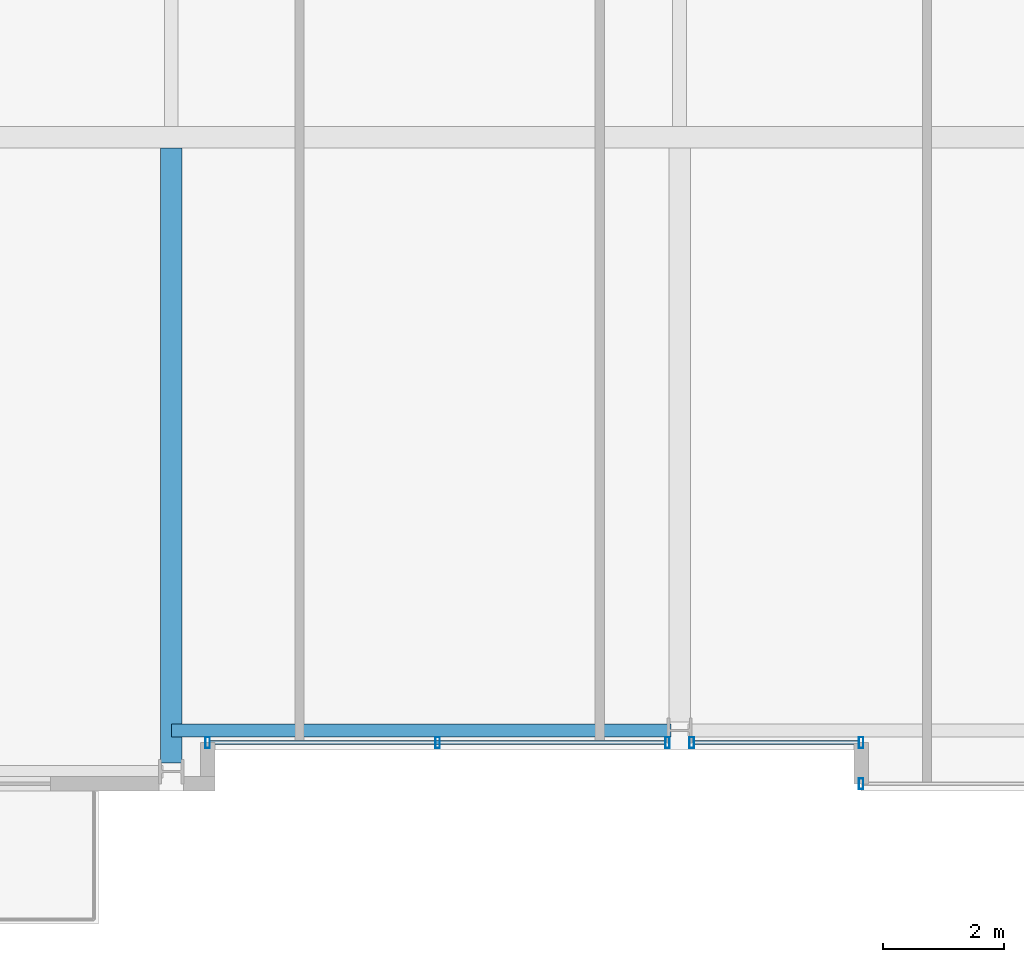
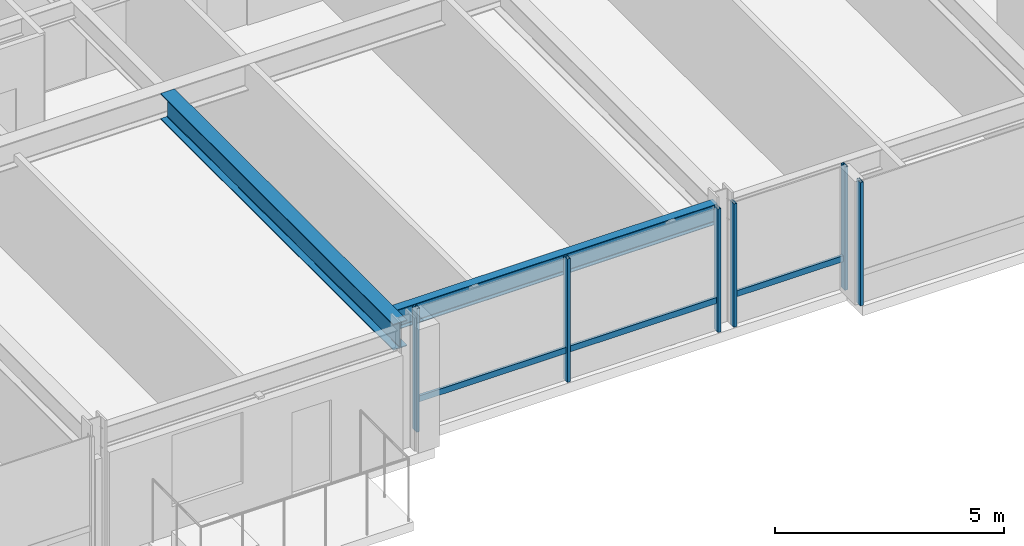
# One storey, part 5 of 32: 8 members, 2 beams, 3 elements without a shape of their own.
"""IFC4 building model written with IfcOpenShell, lengths in metres."""

import ifcopenshell
import ifcopenshell.guid

model = None  # the IFC model being written
_history = None  # IfcOwnerHistory: only IFC2X3 demands one
_inside = {}  # id of a spatial element -> (the spatial element, [elements in it])
_under = {}  # id of a project, library or spatial element -> (it, [spatial elements below it])
_declared = {}  # id of a project -> (the project, [libraries it declares])
_typed = {}  # id of a type object -> (the type object, [elements of that type])
_made_of = {}  # id of a material, layer set ... -> (it, [elements and type objects made of it])


def new_model(schema):
    """Start an empty IFC model of exactly this schema.

    Asked for "IFC4X3", IfcOpenShell would pick the latest addendum, in which some entities
    have other attributes; the version numbers below select the first issue.
    IFC2X3 requires an IfcOwnerHistory on every rooted entity: one is made here for all.
    """
    global model, _history
    if schema == "IFC4X3":
        model = ifcopenshell.file(schema_version=(4, 3, 0, 0))
    else:
        model = ifcopenshell.file(schema=schema)
    _inside.clear()
    _under.clear()
    _declared.clear()
    _typed.clear()
    _made_of.clear()
    _history = None
    if model.schema == "IFC2X3":
        org = make("IfcOrganization", Name="unknown")
        user = make(
            "IfcPersonAndOrganization",
            ThePerson=make("IfcPerson", FamilyName="unknown"),
            TheOrganization=org,
        )
        app = make(
            "IfcApplication",
            ApplicationDeveloper=org,
            Version="unknown",
            ApplicationFullName="unknown",
            ApplicationIdentifier="unknown",
        )
        _history = make(
            "IfcOwnerHistory",
            OwningUser=user,
            OwningApplication=app,
            ChangeAction="ADDED",
            CreationDate=0,
        )
    return model


def make(cls, **values):
    """One entity of the class cls with the attributes given. An attribute that is None is left unset."""
    return model.create_entity(
        cls, **{name: value for name, value in values.items() if value is not None}
    )


def rooted(cls, **values):
    """An entity with a GlobalId (a new one), such as an element, a storey or a relation."""
    return make(cls, GlobalId=ifcopenshell.guid.new(), OwnerHistory=_history, **values)


def si_unit(unit_type, name, prefix=None):
    """IfcSIUnit, for example si_unit("LENGTHUNIT", "METRE", prefix="MILLI")."""
    return make("IfcSIUnit", UnitType=unit_type, Prefix=prefix, Name=name)


def assignment(units):
    """IfcUnitAssignment: the units of a project."""
    return None if units is None else make("IfcUnitAssignment", Units=units)


def point(xyz):
    """IfcCartesianPoint."""
    return None if xyz is None else make("IfcCartesianPoint", Coordinates=xyz)


def direction(xyz):
    """IfcDirection."""
    return None if xyz is None else make("IfcDirection", DirectionRatios=xyz)


def frame(location, z_axis=None, x_axis=None):
    """IfcAxis2Placement3D, a coordinate frame: its origin and axes. An axis left out is left unset."""
    return make(
        "IfcAxis2Placement3D",
        Location=point(location),
        Axis=direction(z_axis),
        RefDirection=direction(x_axis),
    )


def frame_2d(location, x_axis=None):
    """IfcAxis2Placement2D, a coordinate frame in the plane: its origin and x axis."""
    return make(
        "IfcAxis2Placement2D", Location=point(location), RefDirection=direction(x_axis)
    )


def origin():
    """The frame at (0, 0, 0) with its axes left unset."""
    return frame((0.0, 0.0, 0.0))


def origin_2d():
    """The frame at (0, 0) in the plane with its x axis left unset."""
    return frame_2d((0.0, 0.0))


def place(relative_to, where):
    """IfcLocalPlacement: puts the frame where relative to a parent placement (None: the world)."""
    return make(
        "IfcLocalPlacement", PlacementRelTo=relative_to, RelativePlacement=where
    )


def context(
    kind, dimensions, precision=None, world=None, true_north=None, identifier=None
):
    """IfcGeometricRepresentationContext, for example the 3D "Model" context."""
    return make(
        "IfcGeometricRepresentationContext",
        ContextIdentifier=identifier,
        ContextType=kind,
        CoordinateSpaceDimension=dimensions,
        Precision=precision,
        WorldCoordinateSystem=world,
        TrueNorth=true_north,
    )


def subcontext(parent, identifier, kind, view, scale=None):
    """IfcGeometricRepresentationSubContext, for example "Body" below "Model"."""
    return make(
        "IfcGeometricRepresentationSubContext",
        ContextIdentifier=identifier,
        ContextType=kind,
        ParentContext=parent,
        TargetScale=scale,
        TargetView=view,
    )


def project(units=None, contexts=None):
    """IfcProject with its units and contexts."""
    return rooted(
        "IfcProject",
        Name="project",
        RepresentationContexts=contexts,
        UnitsInContext=assignment(units),
    )


def spatial(cls, under=None, at=None, **own):
    """A site, building, storey or space (cls), placed at a placement, below another one or the project."""
    s = rooted(cls, ObjectPlacement=at, **own)
    if under is not None:
        _under.setdefault(under.id(), (under, []))[1].append(s)
    return s


def profile(cls, at=None, kind="AREA", **sizes):
    """A parametric profile (cls). Its sizes go by their IFC names, for example OverallWidth=200.0."""
    return make(cls, ProfileType=kind, Position=at, **sizes)


def hollow_rectangle(**sizes):
    """IfcRectangleHollowProfileDef."""
    return profile("IfcRectangleHollowProfileDef", **sizes)


def i_section(**sizes):
    """IfcIShapeProfileDef."""
    return profile("IfcIShapeProfileDef", **sizes)


def extrude(swept, where, along, depth):
    """IfcExtrudedAreaSolid: the profile swept, set in the frame where, extruded along a direction by depth."""
    return make(
        "IfcExtrudedAreaSolid",
        SweptArea=swept,
        Position=where,
        ExtrudedDirection=direction(along),
        Depth=depth,
    )


def shape(context_of_items, identifier, shape_type, items):
    """IfcShapeRepresentation: the items that make up one representation, for example the "Body"."""
    return make(
        "IfcShapeRepresentation",
        ContextOfItems=context_of_items,
        RepresentationIdentifier=identifier,
        RepresentationType=shape_type,
        Items=items,
    )


def material(Name=None, Category=None):
    """IfcMaterial."""
    return make("IfcMaterial", Name=Name, Category=Category)


def layer(
    of_material, thickness, ventilated=None, Name=None, Category=None, Priority=None
):
    """IfcMaterialLayer: one layer of a wall or slab, of a material (None: an air gap)."""
    return make(
        "IfcMaterialLayer",
        Material=of_material,
        LayerThickness=thickness,
        IsVentilated=ventilated,
        Name=Name,
        Category=Category,
        Priority=Priority,
    )


def layer_set(layers, Name=None):
    """IfcMaterialLayerSet."""
    return make("IfcMaterialLayerSet", MaterialLayers=layers, LayerSetName=Name)


def material_profile(
    of_material, cross_section, Name=None, Category=None, Priority=None
):
    """IfcMaterialProfile: a cross section and its material."""
    return make(
        "IfcMaterialProfile",
        Name=Name,
        Material=of_material,
        Profile=cross_section,
        Priority=Priority,
        Category=Category,
    )


def profile_set(profiles, Name=None, composite=None):
    """IfcMaterialProfileSet."""
    return make(
        "IfcMaterialProfileSet",
        Name=Name,
        MaterialProfiles=profiles,
        CompositeProfile=composite,
    )


def made_of(thing, what):
    """Note that an element or type object is made of a material, layer set ...; save() writes the relation."""
    if what is not None:
        _made_of.setdefault(what.id(), (what, []))[1].append(thing)
    return thing


def type_object(cls, material=None, **own):
    """A type object (cls), such as IfcWallType, which elements share."""
    return made_of(rooted(cls, **own), material)


def element(
    cls,
    number,
    at=None,
    inside=None,
    cuts=None,
    type_object=None,
    material=None,
    context=None,
    identifier="Body",
    shape_type=None,
    held_by="IfcProductDefinitionShape",
    body=None,
    shapes=None,
    **own,
):
    """One element of the class cls, such as IfcWall. Its Tag is "e" and its number.

    at: its placement. inside: the storey or other place that contains it. cuts: it is an
    opening in that element (IfcRelVoidsElement). A single representation is given by context,
    identifier, shape_type and body (its items); several are given by shapes. held_by: the class
    of the entity that holds the representations. save() writes the other relations.
    """
    e = rooted(cls, Tag="e%d" % number, ObjectPlacement=at, **own)
    if body is not None:
        shapes = [shape(context, identifier, shape_type, body)]
    if shapes is not None:
        e.Representation = make(held_by, Representations=shapes)
    if inside is not None:
        _inside.setdefault(inside.id(), (inside, []))[1].append(e)
    if cuts is not None:
        rooted(
            "IfcRelVoidsElement", RelatingBuildingElement=cuts, RelatedOpeningElement=e
        )
    if type_object is not None:
        _typed.setdefault(type_object.id(), (type_object, []))[1].append(e)
    return made_of(e, material)


def aggregate(whole, parts):
    """IfcRelAggregates: a whole, such as a stair, and the parts it consists of."""
    return rooted("IfcRelAggregates", RelatingObject=whole, RelatedObjects=parts)


def save(model, path):
    """Write the relations noted so far, then the file.

    IfcRelAggregates (storeys below a building ...), IfcRelContainedInSpatialStructure (elements
    in a storey), IfcRelDefinesByType, IfcRelAssociatesMaterial and IfcRelDeclares: one each for
    every whole, place, type object, material and project.
    """
    for whole, parts in _under.values():
        aggregate(whole, parts)
    for where, things in _inside.values():
        rooted(
            "IfcRelContainedInSpatialStructure",
            RelatedElements=things,
            RelatingStructure=where,
        )
    for kind, things in _typed.values():
        rooted("IfcRelDefinesByType", RelatedObjects=things, RelatingType=kind)
    for what, things in _made_of.values():
        rooted("IfcRelAssociatesMaterial", RelatedObjects=things, RelatingMaterial=what)
    for by, libraries in _declared.values():
        rooted("IfcRelDeclares", RelatingContext=by, RelatedDefinitions=libraries)
    model.write(path)


model = new_model("IFC4")

# Units and contexts
model_context = context("Model", 3, precision=1e-05, world=origin(), true_north=direction((0.0, 1.0)))
body_context = subcontext(model_context, "Body", "Model", "MODEL_VIEW")
ifc_project = project(units=[si_unit("LENGTHUNIT", "METRE"), si_unit("AREAUNIT", "SQUARE_METRE"), si_unit("VOLUMEUNIT", "CUBIC_METRE"), si_unit("PLANEANGLEUNIT", "RADIAN"), si_unit("MASSUNIT", "GRAM", prefix="KILO")], contexts=[model_context])

# Site, building, storey
site_placement = place(None, origin())
site = spatial("IfcSite", under=ifc_project, at=site_placement, CompositionType="ELEMENT")
building_placement = place(site_placement, origin())
building = spatial("IfcBuilding", under=site, at=building_placement, Name="Drelvath Grand Hotel", CompositionType="ELEMENT")
storey_placement = place(building_placement, frame((0.0, 0.0, 150.39990234375)))
storey = spatial("IfcBuildingStorey", under=building, at=storey_placement, Name="L38", CompositionType="ELEMENT", Elevation=150.39990234375)

# Curtain wall, member
ifc_material_1 = material(Name="Brushed Pale-Silver Anodised Aluminium Frame", Category="aluminium")
ifc_layer = layer(ifc_material_1, 0.199951171875)
ifc_layer_set = layer_set([ifc_layer], Name="Brushed Pale-Silver Anodised Aluminium Frame")
curtain_wall_type = type_object("IfcCurtainWallType", Name="Stick Curtain Wall CW-04 Brushed Silver Upper-Mid", PredefinedType="NOTDEFINED", material=ifc_layer_set)
curtain_wall_1_placement = place(storey_placement, origin())
curtain_wall_1 = element("IfcCurtainWall", 1, at=curtain_wall_1_placement, inside=storey, type_object=curtain_wall_type, Name="L38 CW-04 Curtain Wall CW04-L38-SM1", PredefinedType="NOTDEFINED")
ifc_material_profile_1 = material_profile(ifc_material_1, hollow_rectangle(XDim=0.06494140625, YDim=0.159912109375, WallThickness=0.00390625, at=origin_2d()), Name="HSS160X65X4")
ifc_profile_set_1 = profile_set([ifc_material_profile_1], Name="Brushed Pale-Silver Anodised Aluminium Frame")
member_type_1 = type_object("IfcMemberType", Name="Curtain Wall Horizontal Transom CW-04 HSS160X65X4", PredefinedType="USERDEFINED", material=ifc_profile_set_1)
member_1_placement = place(storey_placement, frame((-0.239990234375, 0.800048828125, 0.822509765625), z_axis=(-1.0, 0.0, 0.0), x_axis=(0.0, -1.0, 0.0)))
member_1 = element("IfcMember", 2, at=member_1_placement, type_object=member_type_1, Name="CW04-L38-SM1 Sill Transom", ObjectType="TRANSOM", PredefinedType="USERDEFINED", context=body_context, shape_type="SweptSolid", body=[
    extrude(hollow_rectangle(XDim=0.06494140625, YDim=0.159912109375, WallThickness=0.00390625, at=origin_2d()), origin(), (0.0, 0.0, 1.0), 7.52001953125),
])

curtain_wall_2_placement = place(storey_placement, origin())
curtain_wall_2 = element("IfcCurtainWall", 3, at=curtain_wall_2_placement, inside=storey, type_object=curtain_wall_type, Name="L38 CW-04 Curtain Wall CW04-L38-SM2", PredefinedType="NOTDEFINED")
member_2_placement = place(storey_placement, frame((2.9599609375, 0.800048828125, 0.822509765625), z_axis=(-1.0, 0.0, 0.0), x_axis=(0.0, -1.0, 0.0)))
member_2 = element("IfcMember", 4, at=member_2_placement, type_object=member_type_1, Name="CW04-L38-SM2 Sill Transom", ObjectType="TRANSOM", PredefinedType="USERDEFINED", context=body_context, shape_type="SweptSolid", body=[
    extrude(hollow_rectangle(XDim=0.06494140625, YDim=0.159912109375, WallThickness=0.00390625, at=origin_2d()), origin(), (0.0, 0.0, 1.0), 2.719970703125),
])

curtain_wall_3_placement = place(storey_placement, origin())
curtain_wall_3 = element("IfcCurtainWall", 5, at=curtain_wall_3_placement, inside=storey, type_object=curtain_wall_type, Name="L38 CW-04 Curtain Wall CW04-L38-SE1", PredefinedType="NOTDEFINED")
ifc_material_profile_2 = material_profile(ifc_material_1, hollow_rectangle(XDim=0.074951171875, YDim=0.179931640625, WallThickness=0.0048828125, at=origin_2d()), Name="HSS180X75X5")
ifc_profile_set_2 = profile_set([ifc_material_profile_2], Name="Brushed Pale-Silver Anodised Aluminium Frame")
member_type_2 = type_object("IfcMemberType", Name="Curtain Wall Vertical Mullion CW-04 HSS180X75X5", PredefinedType="MULLION", material=ifc_profile_set_2)
member_3_placement = place(storey_placement, frame((3.0, 0.1201171875, 0.0), z_axis=(0.0, 0.0, 1.0), x_axis=(1.0, 0.0, 0.0)))
member_3 = element("IfcMember", 6, at=member_3_placement, type_object=member_type_2, Name="CW04-L38-SE1 Mullion 2", PredefinedType="MULLION", context=body_context, shape_type="SweptSolid", body=[
    extrude(hollow_rectangle(XDim=0.074951171875, YDim=0.179931640625, WallThickness=0.0048828125, at=origin_2d()), origin(), (0.0, 0.0, 1.0), 3.2900390625),
])
aggregate(curtain_wall_3, [member_3])

# Member
member_4_placement = place(storey_placement, frame((-0.2001953125, 0.800048828125, 0.0), z_axis=(0.0, 0.0, 1.0), x_axis=(1.0, 0.0, 0.0)))
member_4 = element("IfcMember", 7, at=member_4_placement, type_object=member_type_2, Name="CW04-L38-SM1 Mullion 1", PredefinedType="MULLION", context=body_context, shape_type="SweptSolid", body=[
    extrude(hollow_rectangle(XDim=0.074951171875, YDim=0.179931640625, WallThickness=0.0048828125, at=origin_2d()), origin(), (0.0, 0.0, 1.0), 3.2900390625),
])

member_5_placement = place(storey_placement, frame((-4.0, 0.800048828125, 0.0), z_axis=(0.0, 0.0, 1.0), x_axis=(1.0, 0.0, 0.0)))
member_5 = element("IfcMember", 8, at=member_5_placement, type_object=member_type_2, Name="CW04-L38-SM1 Mullion 2", PredefinedType="MULLION", context=body_context, shape_type="SweptSolid", body=[
    extrude(hollow_rectangle(XDim=0.074951171875, YDim=0.179931640625, WallThickness=0.0048828125, at=origin_2d()), origin(), (0.0, 0.0, 1.0), 3.2900390625),
])

member_6_placement = place(storey_placement, frame((-7.800048828125, 0.800048828125, 0.0), z_axis=(0.0, 0.0, 1.0), x_axis=(1.0, 0.0, 0.0)))
member_6 = element("IfcMember", 9, at=member_6_placement, type_object=member_type_2, Name="CW04-L38-SM1 Mullion 3", PredefinedType="MULLION", context=body_context, shape_type="SweptSolid", body=[
    extrude(hollow_rectangle(XDim=0.074951171875, YDim=0.179931640625, WallThickness=0.0048828125, at=origin_2d()), origin(), (0.0, 0.0, 1.0), 3.2900390625),
])

aggregate(curtain_wall_1, [member_4, member_5, member_6, member_1])

member_7_placement = place(storey_placement, frame((3.0, 0.800048828125, 0.0), z_axis=(0.0, 0.0, 1.0), x_axis=(1.0, 0.0, 0.0)))
member_7 = element("IfcMember", 10, at=member_7_placement, type_object=member_type_2, Name="CW04-L38-SM2 Mullion 1", PredefinedType="MULLION", context=body_context, shape_type="SweptSolid", body=[
    extrude(hollow_rectangle(XDim=0.074951171875, YDim=0.179931640625, WallThickness=0.0048828125, at=origin_2d()), origin(), (0.0, 0.0, 1.0), 3.2900390625),
])

member_8_placement = place(storey_placement, frame((0.2001953125, 0.800048828125, 0.0), z_axis=(0.0, 0.0, 1.0), x_axis=(1.0, 0.0, 0.0)))
member_8 = element("IfcMember", 11, at=member_8_placement, type_object=member_type_2, Name="CW04-L38-SM2 Mullion 2", PredefinedType="MULLION", context=body_context, shape_type="SweptSolid", body=[
    extrude(hollow_rectangle(XDim=0.074951171875, YDim=0.179931640625, WallThickness=0.0048828125, at=origin_2d()), origin(), (0.0, 0.0, 1.0), 3.2900390625),
])

aggregate(curtain_wall_2, [member_7, member_8, member_2])

# Beams
ifc_material_2 = material(Name="Steel ASTM A992 Gr 50", Category="steel")
ifc_material_profile_3 = material_profile(ifc_material_2, i_section(OverallWidth=0.210205078125, OverallDepth=0.53662109375, WebThickness=0.010986328125, FlangeThickness=0.017333984375, FilletRadius=0.01806640625, at=origin_2d()), Name="W21X68")
ifc_profile_set_3 = profile_set([ifc_material_profile_3], Name="Steel ASTM A992 Gr 50")
beam_type_1 = type_object("IfcBeamType", Name="Perimeter Spandrel Beam W21X68", PredefinedType="SPANDREL", material=ifc_profile_set_3)
beam_1_placement = place(storey_placement, frame((-8.39990234375, 1.0, 3.021728515625), z_axis=(1.0, 0.0, 0.0), x_axis=(0.0, 1.0, 0.0)))
element("IfcBeam", 12, at=beam_1_placement, inside=storey, type_object=beam_type_1, Name="L38 Spandrel South Mid W", PredefinedType="SPANDREL", context=body_context, shape_type="SweptSolid", body=[
    extrude(i_section(OverallWidth=0.210205078125, OverallDepth=0.53662109375, WebThickness=0.010986328125, FlangeThickness=0.017333984375, FilletRadius=0.01806640625, at=origin_2d()), origin(), (0.0, 0.0, 1.0), 8.260009765625),
])
ifc_material_profile_4 = material_profile(ifc_material_2, i_section(OverallWidth=0.354736328125, OverallDepth=0.695556640625, WebThickness=0.015380859375, FlangeThickness=0.025146484375, FilletRadius=0.02392578125, at=origin_2d()), Name="W27X146")
ifc_profile_set_4 = profile_set([ifc_material_profile_4], Name="Steel ASTM A992 Gr 50")
beam_type_2 = type_object("IfcBeamType", Name="Primary Floor Girder W27X146", PredefinedType="BEAM", material=ifc_profile_set_4)
beam_2_placement = place(storey_placement, frame((-8.39990234375, 0.4599609375, 2.9423828125), z_axis=(0.0, 1.0, 0.0), x_axis=(-1.0, 0.0, 0.0)))
element("IfcBeam", 13, at=beam_2_placement, inside=storey, type_object=beam_type_2, Name="L38 South Wing Girder 4", PredefinedType="BEAM", context=body_context, shape_type="SweptSolid", body=[
    extrude(i_section(OverallWidth=0.354736328125, OverallDepth=0.695556640625, WebThickness=0.015380859375, FlangeThickness=0.025146484375, FilletRadius=0.02392578125, at=origin_2d()), origin(), (0.0, 0.0, 1.0), 10.16259765625),
])

save(model, "model.ifc")
